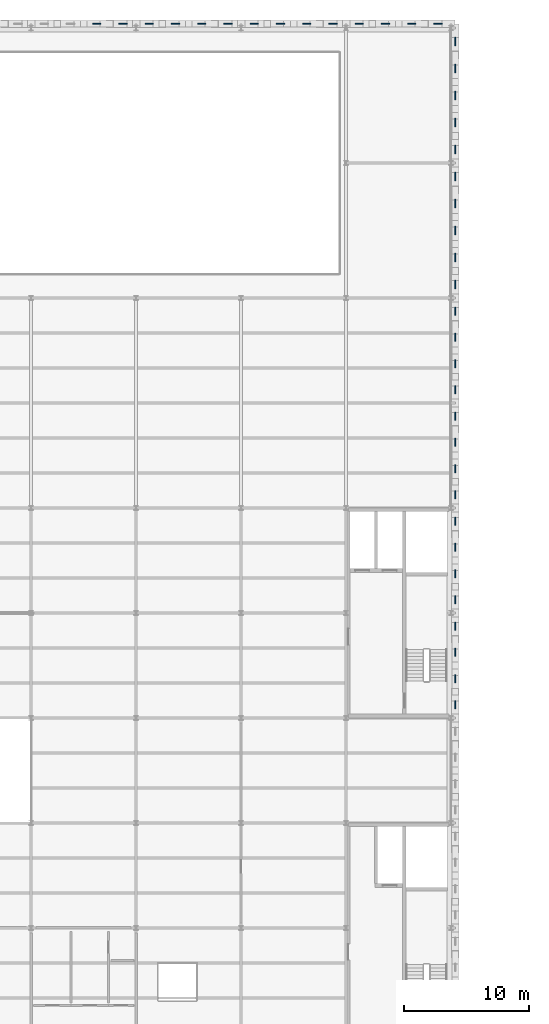
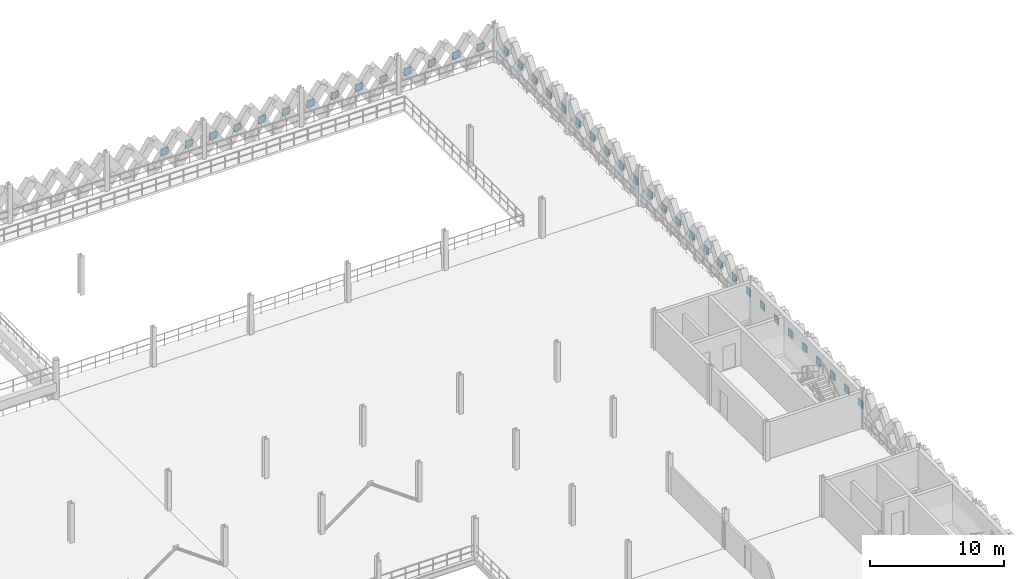
# One storey, part 47 of 62: 40 plates.
"""IFC4 building model written with IfcOpenShell, lengths in metres."""

from ifc_helpers import new_model, si_unit, direction, frame, origin, origin_2d, place, context, subcontext, project, spatial, rectangle, extrude, material, layer, layer_set, type_object, element, save


model = new_model("IFC4")

# Units and contexts
model_context = context("Model", 3, precision=1e-05, world=origin(), true_north=direction((0.0, 1.0)))
body_context = subcontext(model_context, "Body", "Model", "MODEL_VIEW")
ifc_project = project(units=[si_unit("LENGTHUNIT", "METRE"), si_unit("AREAUNIT", "SQUARE_METRE"), si_unit("VOLUMEUNIT", "CUBIC_METRE"), si_unit("PLANEANGLEUNIT", "RADIAN"), si_unit("MASSUNIT", "GRAM", prefix="KILO"), si_unit("THERMODYNAMICTEMPERATUREUNIT", "KELVIN"), si_unit("POWERUNIT", "WATT")], contexts=[model_context])

# Site, building, storey
site_placement = place(None, origin())
site = spatial("IfcSite", under=ifc_project, at=site_placement, CompositionType="ELEMENT")
building_placement = place(site_placement, origin())
building = spatial("IfcBuilding", under=site, at=building_placement, Name="Tembeka Court Mobility Hub", CompositionType="ELEMENT")
storey_placement = place(building_placement, frame((0.0, 0.0, 16.199951171875)))
storey = spatial("IfcBuildingStorey", under=building, at=storey_placement, Name="L04", CompositionType="ELEMENT", Elevation=16.199951171875)

# Plates
ifc_material = material(Name="Precast concrete C45/55", Category="concrete")
ifc_layer = layer(ifc_material, 0.090087890625)
ifc_layer_set = layer_set([ifc_layer], Name="Precast concrete C45/55")
plate_type = type_object("IfcPlateType", Name="PL-PC01", PredefinedType="SHEET", material=ifc_layer_set)
for number, where, z_axis, x_axis, name in (
    (1, (64.050048828125, 119.139892578125, 1.16015625), (0.0, 0.0, 1.0), (1.0, 0.0, 0.0), "Precast diamond lattice node plate PCN01 (L04-663)"),
    (2, (66.14990234375, 119.139892578125, 1.16015625), (0.0, 0.0, 1.0), (1.0, 0.0, 0.0), "Precast diamond lattice node plate PCN01 (L04-664)"),
    (3, (68.25, 119.139892578125, 1.16015625), (0.0, 0.0, 1.0), (1.0, 0.0, 0.0), "Precast diamond lattice node plate PCN01 (L04-665)"),
    (4, (70.35009765625, 119.139892578125, 1.16015625), (0.0, 0.0, 1.0), (1.0, 0.0, 0.0), "Precast diamond lattice node plate PCN01 (L04-666)"),
    (5, (72.449951171875, 119.139892578125, 1.16015625), (0.0, 0.0, 1.0), (1.0, 0.0, 0.0), "Precast diamond lattice node plate PCN01 (L04-667)"),
    (6, (74.550048828125, 119.139892578125, 1.16015625), (0.0, 0.0, 1.0), (1.0, 0.0, 0.0), "Precast diamond lattice node plate PCN01 (L04-668)"),
    (7, (76.64990234375, 119.139892578125, 1.16015625), (0.0, 0.0, 1.0), (1.0, 0.0, 0.0), "Precast diamond lattice node plate PCN01 (L04-669)"),
    (8, (78.75, 119.139892578125, 1.16015625), (0.0, 0.0, 1.0), (1.0, 0.0, 0.0), "Precast diamond lattice node plate PCN01 (L04-670)"),
    (9, (80.85009765625, 119.139892578125, 1.16015625), (0.0, 0.0, 1.0), (1.0, 0.0, 0.0), "Precast diamond lattice node plate PCN01 (L04-671)"),
    (10, (82.949951171875, 119.139892578125, 1.16015625), (0.0, 0.0, 1.0), (1.0, 0.0, 0.0), "Precast diamond lattice node plate PCN01 (L04-672)"),
    (11, (85.050048828125, 119.139892578125, 1.16015625), (0.0, 0.0, 1.0), (1.0, 0.0, 0.0), "Precast diamond lattice node plate PCN01 (L04-673)"),
    (12, (87.14990234375, 119.139892578125, 1.16015625), (0.0, 0.0, 1.0), (1.0, 0.0, 0.0), "Precast diamond lattice node plate PCN01 (L04-674)"),
    (13, (89.25, 119.139892578125, 1.16015625), (0.0, 0.0, 1.0), (1.0, 0.0, 0.0), "Precast diamond lattice node plate PCN01 (L04-675)"),
    (14, (91.35009765625, 119.139892578125, 1.16015625), (0.0, 0.0, 1.0), (1.0, 0.0, 0.0), "Precast diamond lattice node plate PCN01 (L04-676)"),
):
    element("IfcPlate", number, at=place(storey_placement, frame(where, z_axis=z_axis, x_axis=x_axis)), inside=storey, type_object=plate_type, Name=name, PredefinedType="SHEET", context=body_context, shape_type="SweptSolid", body=[
        extrude(rectangle(XDim=0.64990234375, YDim=0.090087890625, at=origin_2d()), origin(), (0.0, 0.0, 1.0), 0.64990234375),
    ])
for number, where, z_axis, x_axis, name in (
    (15, (92.739990234375, 64.64990234375, 1.16015625), (0.0, 0.0, 1.0), (1.0, 0.0, 0.0), "Precast diamond lattice node plate PCN01 (L04-763)"),
    (16, (92.739990234375, 66.75, 1.16015625), (0.0, 0.0, 1.0), (1.0, 0.0, 0.0), "Precast diamond lattice node plate PCN01 (L04-764)"),
    (17, (92.739990234375, 68.85009765625, 1.16015625), (0.0, 0.0, 1.0), (1.0, 0.0, 0.0), "Precast diamond lattice node plate PCN01 (L04-765)"),
    (18, (92.739990234375, 70.949951171875, 1.16015625), (0.0, 0.0, 1.0), (1.0, 0.0, 0.0), "Precast diamond lattice node plate PCN01 (L04-766)"),
    (19, (92.739990234375, 73.050048828125, 1.16015625), (0.0, 0.0, 1.0), (1.0, 0.0, 0.0), "Precast diamond lattice node plate PCN01 (L04-767)"),
    (20, (92.739990234375, 75.14990234375, 1.16015625), (0.0, 0.0, 1.0), (1.0, 0.0, 0.0), "Precast diamond lattice node plate PCN01 (L04-768)"),
    (21, (92.739990234375, 77.25, 1.16015625), (0.0, 0.0, 1.0), (1.0, 0.0, 0.0), "Precast diamond lattice node plate PCN01 (L04-769)"),
    (22, (92.739990234375, 79.35009765625, 1.16015625), (0.0, 0.0, 1.0), (1.0, 0.0, 0.0), "Precast diamond lattice node plate PCN01 (L04-770)"),
    (23, (92.739990234375, 81.449951171875, 1.16015625), (0.0, 0.0, 1.0), (1.0, 0.0, 0.0), "Precast diamond lattice node plate PCN01 (L04-771)"),
    (24, (92.739990234375, 83.550048828125, 1.16015625), (0.0, 0.0, 1.0), (1.0, 0.0, 0.0), "Precast diamond lattice node plate PCN01 (L04-772)"),
    (25, (92.739990234375, 85.64990234375, 1.16015625), (0.0, 0.0, 1.0), (1.0, 0.0, 0.0), "Precast diamond lattice node plate PCN01 (L04-773)"),
    (26, (92.739990234375, 87.75, 1.16015625), (0.0, 0.0, 1.0), (1.0, 0.0, 0.0), "Precast diamond lattice node plate PCN01 (L04-774)"),
    (27, (92.739990234375, 89.85009765625, 1.16015625), (0.0, 0.0, 1.0), (1.0, 0.0, 0.0), "Precast diamond lattice node plate PCN01 (L04-775)"),
    (28, (92.739990234375, 91.949951171875, 1.16015625), (0.0, 0.0, 1.0), (1.0, 0.0, 0.0), "Precast diamond lattice node plate PCN01 (L04-776)"),
    (29, (92.739990234375, 94.050048828125, 1.16015625), (0.0, 0.0, 1.0), (1.0, 0.0, 0.0), "Precast diamond lattice node plate PCN01 (L04-777)"),
    (30, (92.739990234375, 96.14990234375, 1.16015625), (0.0, 0.0, 1.0), (1.0, 0.0, 0.0), "Precast diamond lattice node plate PCN01 (L04-778)"),
    (31, (92.739990234375, 98.280029296875, 1.16015625), (0.0, 0.0, 1.0), (1.0, 0.0, 0.0), "Precast diamond lattice node plate PCN01 (L04-779)"),
    (32, (92.739990234375, 100.43994140625, 1.16015625), (0.0, 0.0, 1.0), (1.0, 0.0, 0.0), "Precast diamond lattice node plate PCN01 (L04-780)"),
    (33, (92.739990234375, 102.60009765625, 1.16015625), (0.0, 0.0, 1.0), (1.0, 0.0, 0.0), "Precast diamond lattice node plate PCN01 (L04-781)"),
    (34, (92.739990234375, 104.760009765625, 1.16015625), (0.0, 0.0, 1.0), (1.0, 0.0, 0.0), "Precast diamond lattice node plate PCN01 (L04-782)"),
    (35, (92.739990234375, 106.919921875, 1.16015625), (0.0, 0.0, 1.0), (1.0, 0.0, 0.0), "Precast diamond lattice node plate PCN01 (L04-783)"),
    (36, (92.739990234375, 109.080078125, 1.16015625), (0.0, 0.0, 1.0), (1.0, 0.0, 0.0), "Precast diamond lattice node plate PCN01 (L04-784)"),
    (37, (92.739990234375, 111.239990234375, 1.16015625), (0.0, 0.0, 1.0), (1.0, 0.0, 0.0), "Precast diamond lattice node plate PCN01 (L04-785)"),
    (38, (92.739990234375, 113.39990234375, 1.16015625), (0.0, 0.0, 1.0), (1.0, 0.0, 0.0), "Precast diamond lattice node plate PCN01 (L04-786)"),
    (39, (92.739990234375, 115.56005859375, 1.16015625), (0.0, 0.0, 1.0), (1.0, 0.0, 0.0), "Precast diamond lattice node plate PCN01 (L04-787)"),
    (40, (92.739990234375, 117.719970703125, 1.16015625), (0.0, 0.0, 1.0), (1.0, 0.0, 0.0), "Precast diamond lattice node plate PCN01 (L04-788)"),
):
    element("IfcPlate", number, at=place(storey_placement, frame(where, z_axis=z_axis, x_axis=x_axis)), inside=storey, type_object=plate_type, Name=name, PredefinedType="SHEET", context=body_context, shape_type="SweptSolid", body=[
        extrude(rectangle(XDim=0.090087890625, YDim=0.64990234375, at=origin_2d()), origin(), (0.0, 0.0, 1.0), 0.64990234375),
    ])

save(model, "model.ifc")
